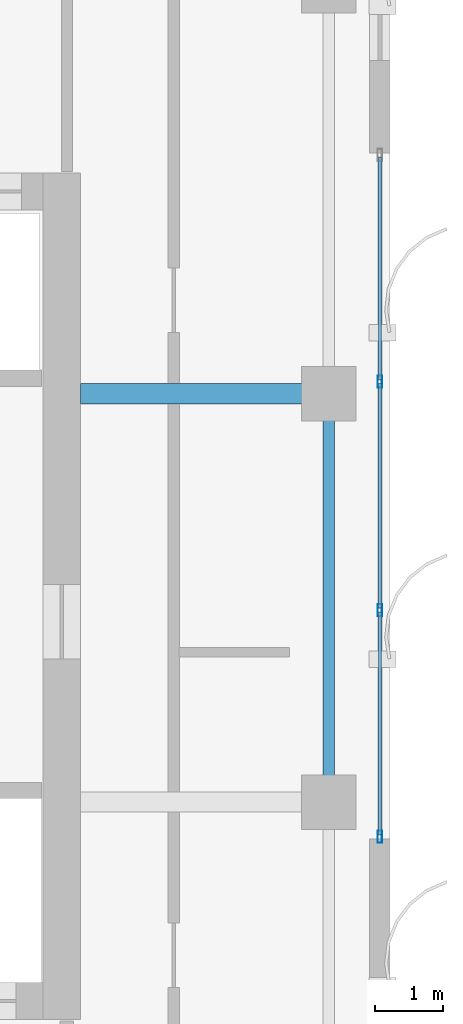
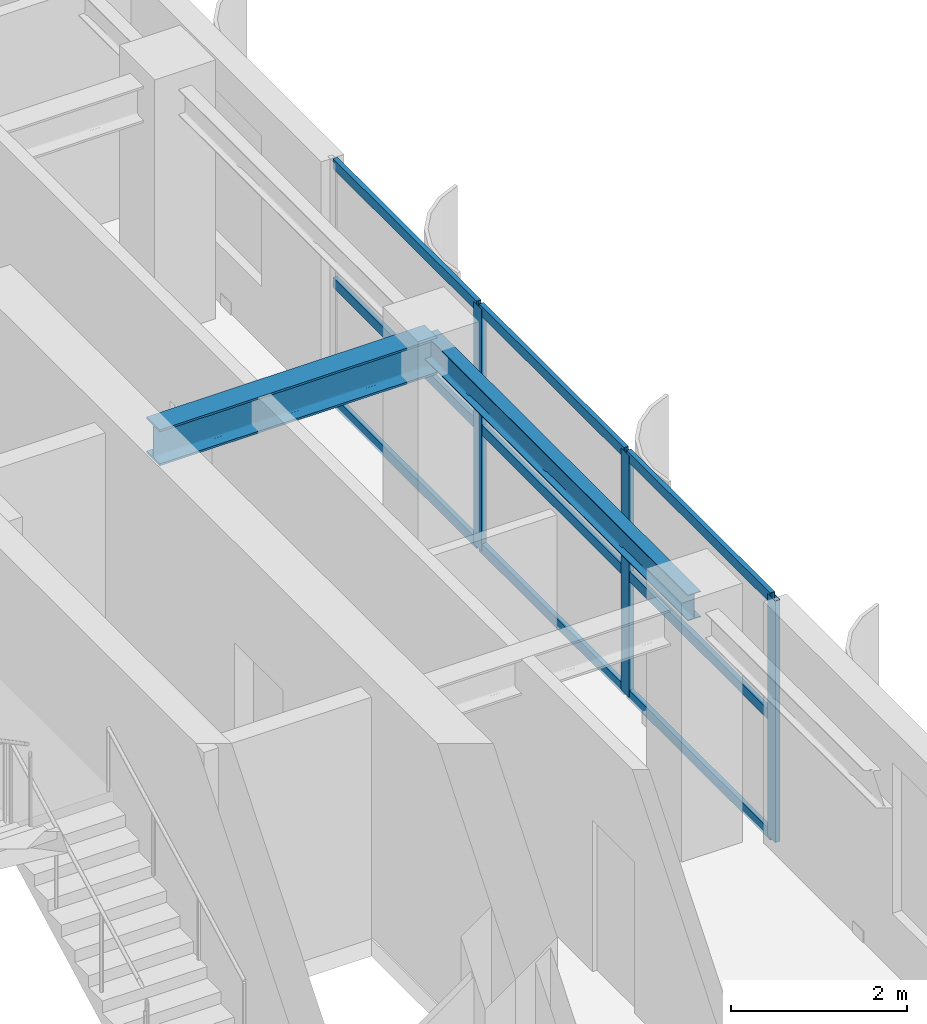
# One storey, part 11 of 23: 12 members, 2 beams, 1 element without a shape of its own.
"""IFC4 building model written with IfcOpenShell, lengths in metres."""

from ifc_helpers import new_model, si_unit, direction, frame, origin, origin_2d, place, context, subcontext, project, spatial, hollow_rectangle, i_section, extrude, source, transform, mapped, material, layer, layer_set, material_profile, profile_set, type_object, element, aggregate, save


model = new_model("IFC4")

# Units and contexts
model_context = context("Model", 3, precision=1e-05, world=origin(), true_north=direction((0.0, 1.0)))
body_context = subcontext(model_context, "Body", "Model", "MODEL_VIEW")
ifc_project = project(units=[si_unit("LENGTHUNIT", "METRE"), si_unit("AREAUNIT", "SQUARE_METRE"), si_unit("VOLUMEUNIT", "CUBIC_METRE"), si_unit("PLANEANGLEUNIT", "RADIAN"), si_unit("MASSUNIT", "GRAM", prefix="KILO")], contexts=[model_context])

# Site, building, storey
site_placement = place(None, origin())
site = spatial("IfcSite", under=ifc_project, at=site_placement, CompositionType="ELEMENT")
building_placement = place(site_placement, origin())
building = spatial("IfcBuilding", under=site, at=building_placement, Name="Khoralis Quay Care Tower", CompositionType="ELEMENT")
storey_placement = place(building_placement, frame((0.0, 0.0, 245.699951171875)))
storey = spatial("IfcBuildingStorey", under=building, at=storey_placement, Name="L64", CompositionType="ELEMENT", Elevation=245.699951171875)

# Beams
ifc_material_1 = material(Name="Steel S355", Category="steel")
ifc_material_profile_1 = material_profile(ifc_material_1, i_section(OverallWidth=0.169921875, OverallDepth=0.360107421875, WebThickness=0.008056640625, FlangeThickness=0.0126953125, FilletRadius=0.01806640625, at=origin_2d()), Name="Steel S355")
ifc_profile_set_1 = profile_set([ifc_material_profile_1], Name="Steel S355")
beam_type_1 = type_object("IfcBeamType", Name="BM-IPE360", PredefinedType="SPANDREL", material=ifc_profile_set_1)
shared_shape_1 = source(origin(), body_context, "Body", "SweptSolid", [
    extrude(i_section(OverallWidth=0.169921875, OverallDepth=0.360107421875, WebThickness=0.008056640625, FlangeThickness=0.0126953125, FilletRadius=0.01806640625, at=origin_2d()), origin(), (0.0, 0.0, 1.0), 6.0),
])
beam_1_placement = place(storey_placement, frame((41.10009765625, 18.0, 3.179931640625), z_axis=(0.0, 1.0, 0.0), x_axis=(-1.0, 0.0, 0.0)))
element("IfcBeam", 1, at=beam_1_placement, inside=storey, type_object=beam_type_1, Name="BM-TSP-L64-10", PredefinedType="SPANDREL", context=body_context, shape_type="MappedRepresentation", body=[
    mapped(shared_shape_1, transform((0.0, 0.0, 0.0), scale=1.0)),
])
ifc_material_profile_2 = material_profile(ifc_material_1, i_section(OverallWidth=0.300048828125, OverallDepth=0.5, WebThickness=0.014404296875, FlangeThickness=0.028076171875, FilletRadius=0.027099609375, at=origin_2d()), Name="Steel S355")
ifc_profile_set_2 = profile_set([ifc_material_profile_2], Name="Steel S355")
beam_type_2 = type_object("IfcBeamType", Name="BM-HEB500", PredefinedType="BEAM", material=ifc_profile_set_2)
shared_shape_2 = source(origin(), body_context, "Body", "SweptSolid", [
    extrude(i_section(OverallWidth=0.300048828125, OverallDepth=0.5, WebThickness=0.014404296875, FlangeThickness=0.028076171875, FilletRadius=0.027099609375, at=origin_2d()), origin(), (0.0, 0.0, 1.0), 3.652099609375),
])
beam_2_placement = place(storey_placement, frame((37.447998046875, 24.0, 3.110107421875), z_axis=(1.0, 0.0, 0.0), x_axis=(0.0, 1.0, 0.0)))
element("IfcBeam", 2, at=beam_2_placement, inside=storey, type_object=beam_type_2, Name="BM-TGXE-L64-240", PredefinedType="BEAM", context=body_context, shape_type="MappedRepresentation", body=[
    mapped(shared_shape_2, transform((0.0, 0.0, 0.0), scale=1.0)),
])

# Curtain wall, members
ifc_material_2 = material(Name="Pale anodised aluminium", Category="aluminium")
ifc_layer = layer(ifc_material_2, 0.159912109375)
ifc_layer_set = layer_set([ifc_layer], Name="Pale anodised aluminium")
curtain_wall_type = type_object("IfcCurtainWallType", Name="CW-SYS-Z3", PredefinedType="NOTDEFINED", material=ifc_layer_set)
curtain_wall_placement = place(storey_placement, origin())
curtain_wall = element("IfcCurtainWall", 3, at=curtain_wall_placement, inside=storey, type_object=curtain_wall_type, Name="L64 Unitised Curtain Wall CW-L64-P2-E5", PredefinedType="NOTDEFINED")
ifc_material_profile_3 = material_profile(ifc_material_2, hollow_rectangle(XDim=0.06494140625, YDim=0.179931640625, WallThickness=0.00390625, at=origin_2d()), Name="Pale anodised aluminium")
ifc_profile_set_3 = profile_set([ifc_material_profile_3], Name="Pale anodised aluminium")
member_type_1 = type_object("IfcMemberType", Name="CW-MUL-180", PredefinedType="MULLION", material=ifc_profile_set_3)
shared_shape_3 = source(origin(), body_context, "Body", "SweptSolid", [
    extrude(hollow_rectangle(XDim=0.06494140625, YDim=0.179931640625, WallThickness=0.00390625, at=origin_2d()), origin(), (0.0, 0.0, 1.0), 3.360107421875),
])
member_1_placement = place(storey_placement, frame((41.85009765625, 17.489990234375, 0.0), z_axis=(0.0, 0.0, 1.0), x_axis=(-1.0, 0.0, 0.0)))
member_1 = element("IfcMember", 4, at=member_1_placement, type_object=member_type_1, Name="CW3 mullion 1", PredefinedType="MULLION", context=body_context, shape_type="MappedRepresentation", body=[
    mapped(shared_shape_3, transform((0.0, 0.0, 0.0), scale=1.0)),
])
member_2_placement = place(storey_placement, frame((41.85009765625, 20.820068359375, 0.0), z_axis=(0.0, 0.0, 1.0), x_axis=(-1.0, 0.0, 0.0)))
member_2 = element("IfcMember", 5, at=member_2_placement, type_object=member_type_1, Name="CW3 mullion 2", PredefinedType="MULLION", context=body_context, shape_type="MappedRepresentation", body=[
    mapped(shared_shape_3, transform((0.0, 0.0, 0.0), scale=1.0)),
])
member_3_placement = place(storey_placement, frame((41.85009765625, 24.179931640625, 0.0), z_axis=(0.0, 0.0, 1.0), x_axis=(-1.0, 0.0, 0.0)))
member_3 = element("IfcMember", 6, at=member_3_placement, type_object=member_type_1, Name="CW3 mullion 3", PredefinedType="MULLION", context=body_context, shape_type="MappedRepresentation", body=[
    mapped(shared_shape_3, transform((0.0, 0.0, 0.0), scale=1.0)),
])
ifc_material_profile_4 = material_profile(ifc_material_2, hollow_rectangle(XDim=0.06005859375, YDim=0.139892578125, WallThickness=0.00390625, at=origin_2d()), Name="Pale anodised aluminium")
ifc_profile_set_4 = profile_set([ifc_material_profile_4], Name="Pale anodised aluminium")
member_type_2 = type_object("IfcMemberType", Name="CW-TRN-140", PredefinedType="USERDEFINED", material=ifc_profile_set_4)
shared_shape_4 = source(origin(), body_context, "Body", "SweptSolid", [
    extrude(hollow_rectangle(XDim=0.06005859375, YDim=0.139892578125, WallThickness=0.00390625, at=origin_2d()), origin(), (0.0, 0.0, 1.0), 3.27001953125),
])
member_4_placement = place(storey_placement, frame((41.85009765625, 17.52001953125, 0.030029296875), z_axis=(0.0, 1.0, 0.0), x_axis=(-1.0, 0.0, 0.0)))
member_4 = element("IfcMember", 7, at=member_4_placement, type_object=member_type_2, Name="CW3 transom 1.1", ObjectType="TRANSOM", PredefinedType="USERDEFINED", context=body_context, shape_type="MappedRepresentation", body=[
    mapped(shared_shape_4, transform((0.0, 0.0, 0.0), scale=1.0)),
])
member_5_placement = place(storey_placement, frame((41.85009765625, 17.52001953125, 1.679931640625), z_axis=(0.0, 1.0, 0.0), x_axis=(-1.0, 0.0, 0.0)))
member_5 = element("IfcMember", 8, at=member_5_placement, type_object=member_type_2, Name="CW3 transom 1.2", ObjectType="TRANSOM", PredefinedType="USERDEFINED", context=body_context, shape_type="MappedRepresentation", body=[
    mapped(shared_shape_4, transform((0.0, 0.0, 0.0), scale=1.0)),
])
member_6_placement = place(storey_placement, frame((41.85009765625, 17.52001953125, 3.330078125), z_axis=(0.0, 1.0, 0.0), x_axis=(-1.0, 0.0, 0.0)))
member_6 = element("IfcMember", 9, at=member_6_placement, type_object=member_type_2, Name="CW3 transom 1.3", ObjectType="TRANSOM", PredefinedType="USERDEFINED", context=body_context, shape_type="MappedRepresentation", body=[
    mapped(shared_shape_4, transform((0.0, 0.0, 0.0), scale=1.0)),
])
member_7_placement = place(storey_placement, frame((41.85009765625, 24.2099609375, 0.030029296875), z_axis=(0.0, 1.0, 0.0), x_axis=(-1.0, 0.0, 0.0)))
member_7 = element("IfcMember", 10, at=member_7_placement, type_object=member_type_2, Name="CW3 transom 3.1", ObjectType="TRANSOM", PredefinedType="USERDEFINED", context=body_context, shape_type="MappedRepresentation", body=[
    mapped(shared_shape_4, transform((0.0, 0.0, 0.0), scale=1.0)),
])
member_8_placement = place(storey_placement, frame((41.85009765625, 24.2099609375, 1.679931640625), z_axis=(0.0, 1.0, 0.0), x_axis=(-1.0, 0.0, 0.0)))
member_8 = element("IfcMember", 11, at=member_8_placement, type_object=member_type_2, Name="CW3 transom 3.2", ObjectType="TRANSOM", PredefinedType="USERDEFINED", context=body_context, shape_type="MappedRepresentation", body=[
    mapped(shared_shape_4, transform((0.0, 0.0, 0.0), scale=1.0)),
])
member_9_placement = place(storey_placement, frame((41.85009765625, 24.2099609375, 3.330078125), z_axis=(0.0, 1.0, 0.0), x_axis=(-1.0, 0.0, 0.0)))
member_9 = element("IfcMember", 12, at=member_9_placement, type_object=member_type_2, Name="CW3 transom 3.3", ObjectType="TRANSOM", PredefinedType="USERDEFINED", context=body_context, shape_type="MappedRepresentation", body=[
    mapped(shared_shape_4, transform((0.0, 0.0, 0.0), scale=1.0)),
])
shared_shape_5 = source(origin(), body_context, "Body", "SweptSolid", [
    extrude(hollow_rectangle(XDim=0.06005859375, YDim=0.139892578125, WallThickness=0.00390625, at=origin_2d()), origin(), (0.0, 0.0, 1.0), 3.2998046875),
])
member_10_placement = place(storey_placement, frame((41.85009765625, 20.85009765625, 0.030029296875), z_axis=(0.0, 1.0, 0.0), x_axis=(-1.0, 0.0, 0.0)))
member_10 = element("IfcMember", 13, at=member_10_placement, type_object=member_type_2, Name="CW3 transom 2.1", ObjectType="TRANSOM", PredefinedType="USERDEFINED", context=body_context, shape_type="MappedRepresentation", body=[
    mapped(shared_shape_5, transform((0.0, 0.0, 0.0), scale=1.0)),
])
member_11_placement = place(storey_placement, frame((41.85009765625, 20.85009765625, 1.679931640625), z_axis=(0.0, 1.0, 0.0), x_axis=(-1.0, 0.0, 0.0)))
member_11 = element("IfcMember", 14, at=member_11_placement, type_object=member_type_2, Name="CW3 transom 2.2", ObjectType="TRANSOM", PredefinedType="USERDEFINED", context=body_context, shape_type="MappedRepresentation", body=[
    mapped(shared_shape_5, transform((0.0, 0.0, 0.0), scale=1.0)),
])
member_12_placement = place(storey_placement, frame((41.85009765625, 20.85009765625, 3.330078125), z_axis=(0.0, 1.0, 0.0), x_axis=(-1.0, 0.0, 0.0)))
member_12 = element("IfcMember", 15, at=member_12_placement, type_object=member_type_2, Name="CW3 transom 2.3", ObjectType="TRANSOM", PredefinedType="USERDEFINED", context=body_context, shape_type="MappedRepresentation", body=[
    mapped(shared_shape_5, transform((0.0, 0.0, 0.0), scale=1.0)),
])
aggregate(curtain_wall, [member_1, member_2, member_3, member_4, member_5, member_6, member_10, member_11, member_12, member_7, member_8, member_9])

save(model, "model.ifc")
